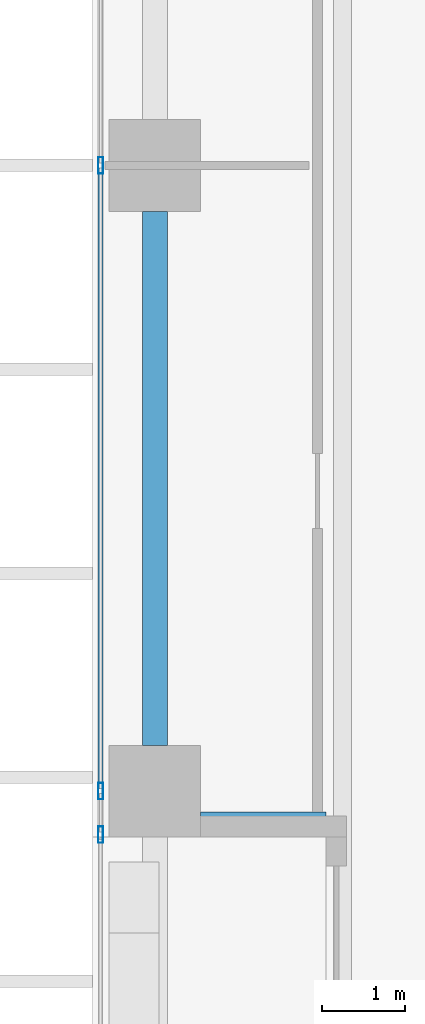
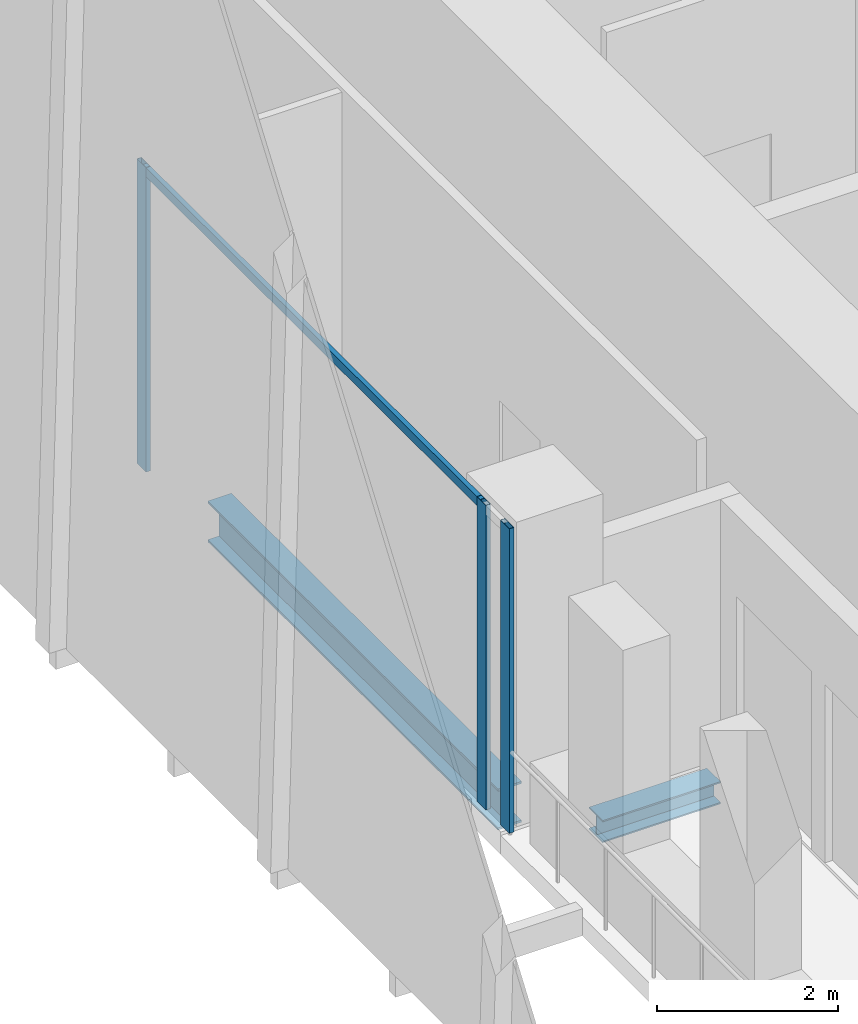
# One storey, part 5 of 34: 4 members, 2 beams, 1 element without a shape of its own.
"""IFC4 building model written with IfcOpenShell, lengths in metres."""

from ifc_helpers import new_model, si_unit, direction, frame, origin, origin_2d, place, context, subcontext, project, spatial, hollow_rectangle, i_section, extrude, source, transform, mapped, material, material_profile, profile_set, type_object, element, aggregate, save


model = new_model("IFC4")

# Units and contexts
model_context = context("Model", 3, precision=1e-05, world=origin(), true_north=direction((0.0, 1.0)))
body_context = subcontext(model_context, "Body", "Model", "MODEL_VIEW")
ifc_project = project(units=[si_unit("LENGTHUNIT", "METRE"), si_unit("AREAUNIT", "SQUARE_METRE"), si_unit("VOLUMEUNIT", "CUBIC_METRE"), si_unit("PLANEANGLEUNIT", "RADIAN"), si_unit("MASSUNIT", "GRAM", prefix="KILO")], contexts=[model_context])

# Site, building, storey
site_placement = place(None, origin())
site = spatial("IfcSite", under=ifc_project, at=site_placement, CompositionType="ELEMENT")
building_placement = place(site_placement, origin())
building = spatial("IfcBuilding", under=site, at=building_placement, Name="Khomas Fold Tower", CompositionType="ELEMENT")
storey_placement = place(building_placement, frame((0.0, 0.0, 114.699951171875)))
storey = spatial("IfcBuildingStorey", under=building, at=storey_placement, Name="L24", CompositionType="ELEMENT", Elevation=114.699951171875)

# Beams
ifc_material_1 = material(Name="Steel S355", Category="steel")
ifc_material_profile_1 = material_profile(ifc_material_1, i_section(OverallWidth=0.300048828125, OverallDepth=0.550048828125, WebThickness=0.014892578125, FlangeThickness=0.029052734375, at=origin_2d()), Name="HE 550 B")
ifc_profile_set_1 = profile_set([ifc_material_profile_1], Name="Steel S355")
beam_type_1 = type_object("IfcBeamType", Name="HE 550 B spandrel SB2", PredefinedType="SPANDREL", material=ifc_profile_set_1)
shared_shape_1 = source(origin(), body_context, "Body", "SweptSolid", [
    extrude(i_section(OverallWidth=0.300048828125, OverallDepth=0.550048828125, WebThickness=0.014892578125, FlangeThickness=0.029052734375, at=origin_2d()), origin(), (0.0, 0.0, 1.0), 6.39990234375),
])
beam_1_placement = place(storey_placement, frame((2.25, 20.050048828125, -0.574951171875), z_axis=(0.0, 1.0, 0.0), x_axis=(-1.0, 0.0, 0.0)))
element("IfcBeam", 1, at=beam_1_placement, inside=storey, type_object=beam_type_1, Name="SB2", PredefinedType="SPANDREL", context=body_context, shape_type="MappedRepresentation", body=[
    mapped(shared_shape_1, transform((0.0, 0.0, 0.0))),
])
ifc_material_2 = material(Name="Steel S355", Category="steel")
ifc_material_profile_2 = material_profile(ifc_material_2, i_section(OverallWidth=0.300048828125, OverallDepth=0.300048828125, WebThickness=0.010986328125, FlangeThickness=0.01904296875, at=origin_2d()), Name="HE 300 B")
ifc_profile_set_2 = profile_set([ifc_material_profile_2], Name="Steel S355")
beam_type_2 = type_object("IfcBeamType", Name="HE 300 B beam BB1", PredefinedType="BEAM", material=ifc_profile_set_2)
shared_shape_2 = source(origin(), body_context, "Body", "SweptSolid", [
    extrude(i_section(OverallWidth=0.300048828125, OverallDepth=0.300048828125, WebThickness=0.010986328125, FlangeThickness=0.01904296875, at=origin_2d()), origin(), (0.0, 0.0, 1.0), 1.5),
])
beam_2_placement = place(storey_placement, frame((2.800048828125, 19.10009765625, -0.449951171875), z_axis=(1.0, 0.0, 0.0), x_axis=(0.0, 1.0, 0.0)))
element("IfcBeam", 2, at=beam_2_placement, inside=storey, type_object=beam_type_2, Name="BB1", PredefinedType="BEAM", context=body_context, shape_type="MappedRepresentation", body=[
    mapped(shared_shape_2, transform((0.0, 0.0, 0.0))),
])

# Curtain wall, members
ifc_material_3 = material(Name="Aluminium framed double glazing", Category="aluminium")
curtain_wall_type = type_object("IfcCurtainWallType", Name="SK-Unitised clear-glass wall, growing floors CW1", PredefinedType="NOTDEFINED", material=ifc_material_3)
curtain_wall_placement = place(storey_placement, origin())
curtain_wall = element("IfcCurtainWall", 3, at=curtain_wall_placement, inside=storey, type_object=curtain_wall_type, Name="CW1 run L24 09-0", PredefinedType="NOTDEFINED")
ifc_material_4 = material(Name="Aluminium", Category="aluminium")
ifc_material_profile_3 = material_profile(ifc_material_4, hollow_rectangle(XDim=0.06005859375, YDim=0.1201171875, WallThickness=0.00390625, at=origin_2d()), Name="SK-Unitised clear-glass wall, growing floors transom CW1-T")
ifc_profile_set_3 = profile_set([ifc_material_profile_3], Name="Aluminium")
member_type_1 = type_object("IfcMemberType", Name="SK-Unitised clear-glass wall, growing floors transom CW1-T", PredefinedType="USERDEFINED", material=ifc_profile_set_3)
shared_shape_3 = source(origin(), body_context, "Body", "SweptSolid", [
    extrude(hollow_rectangle(XDim=0.06005859375, YDim=0.1201171875, WallThickness=0.00390625, at=origin_2d()), origin(), (0.0, 0.0, 1.0), 7.43994140625),
])
member_1_placement = place(storey_placement, frame((1.60009765625, 26.969970703125, 4.0400390625), z_axis=(0.0, -1.0, 0.0), x_axis=(1.0, 0.0, 0.0)))
member_1 = element("IfcMember", 4, at=member_1_placement, type_object=member_type_1, Name="CW1 transom 5", ObjectType="TRANSOM", PredefinedType="USERDEFINED", context=body_context, shape_type="MappedRepresentation", body=[
    mapped(shared_shape_3, transform((0.0, 0.0, 0.0))),
])
ifc_material_5 = material(Name="Aluminium", Category="aluminium")
ifc_material_profile_4 = material_profile(ifc_material_5, hollow_rectangle(XDim=0.06005859375, YDim=0.199951171875, WallThickness=0.00390625, at=origin_2d()), Name="SK-Unitised clear-glass wall, growing floors mullion CW1-M")
ifc_profile_set_4 = profile_set([ifc_material_profile_4], Name="Aluminium")
member_type_2 = type_object("IfcMemberType", Name="SK-Unitised clear-glass wall, growing floors mullion CW1-M", PredefinedType="MULLION", material=ifc_profile_set_4)
shared_shape_4 = source(origin(), body_context, "Body", "SweptSolid", [
    extrude(hollow_rectangle(XDim=0.06005859375, YDim=0.199951171875, WallThickness=0.00390625, at=origin_2d()), origin(), (0.0, 0.0, 1.0), 4.10009765625),
])
member_2_placement = place(storey_placement, frame((1.60009765625, 27.0, 0.0), z_axis=(0.0, 0.0, 1.0), x_axis=(1.0, 0.0, 0.0)))
member_2 = element("IfcMember", 5, at=member_2_placement, type_object=member_type_2, Name="CW1 mullion 5", PredefinedType="MULLION", context=body_context, shape_type="MappedRepresentation", body=[
    mapped(shared_shape_4, transform((0.0, 0.0, 0.0))),
])
member_3_placement = place(storey_placement, frame((1.60009765625, 19.5, 0.0), z_axis=(0.0, 0.0, 1.0), x_axis=(1.0, 0.0, 0.0)))
member_3 = element("IfcMember", 6, at=member_3_placement, type_object=member_type_2, Name="CW1 mullion 6", PredefinedType="MULLION", context=body_context, shape_type="MappedRepresentation", body=[
    mapped(shared_shape_4, transform((0.0, 0.0, 0.0))),
])
member_4_placement = place(storey_placement, frame((1.60009765625, 18.97998046875, 0.0), z_axis=(0.0, 0.0, 1.0), x_axis=(1.0, 0.0, 0.0)))
member_4 = element("IfcMember", 7, at=member_4_placement, type_object=member_type_2, Name="CW1 mullion 7", PredefinedType="MULLION", context=body_context, shape_type="MappedRepresentation", body=[
    mapped(shared_shape_4, transform((0.0, 0.0, 0.0))),
])
aggregate(curtain_wall, [member_2, member_3, member_4, member_1])

save(model, "model.ifc")
